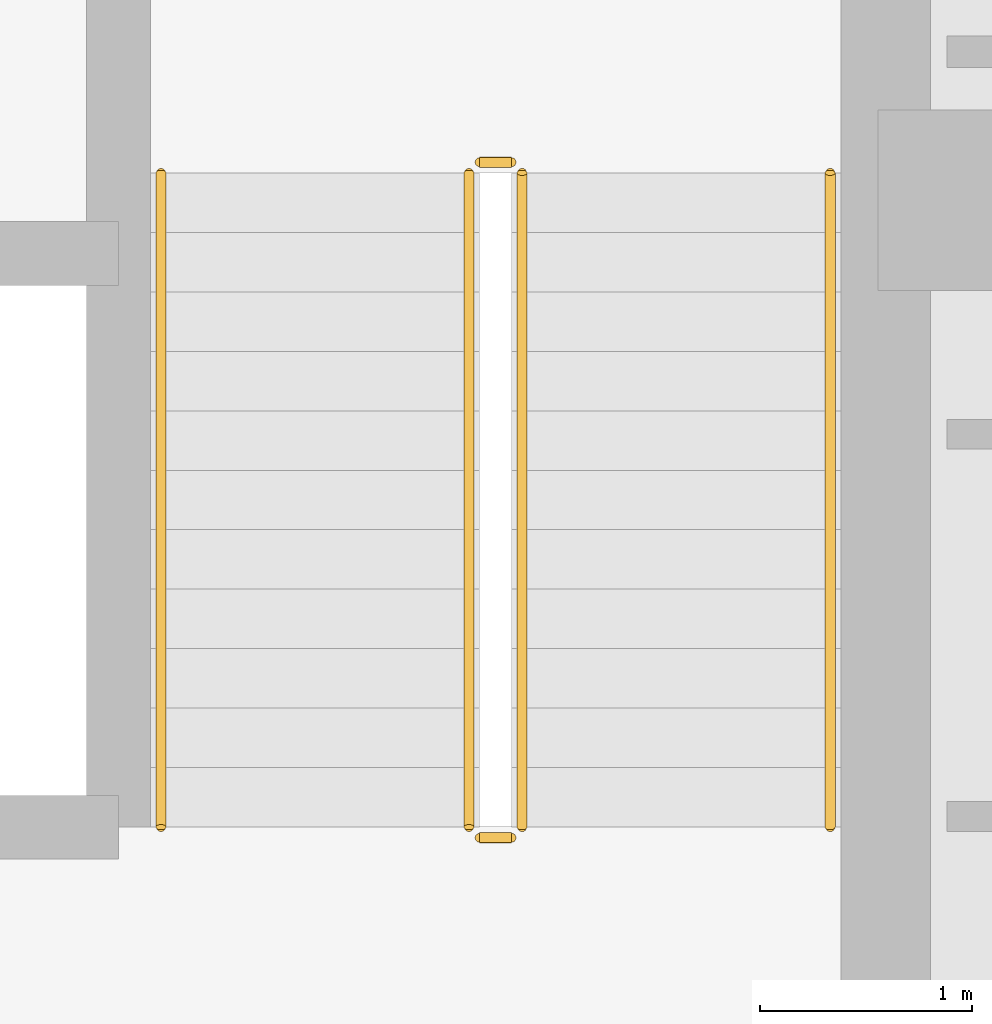
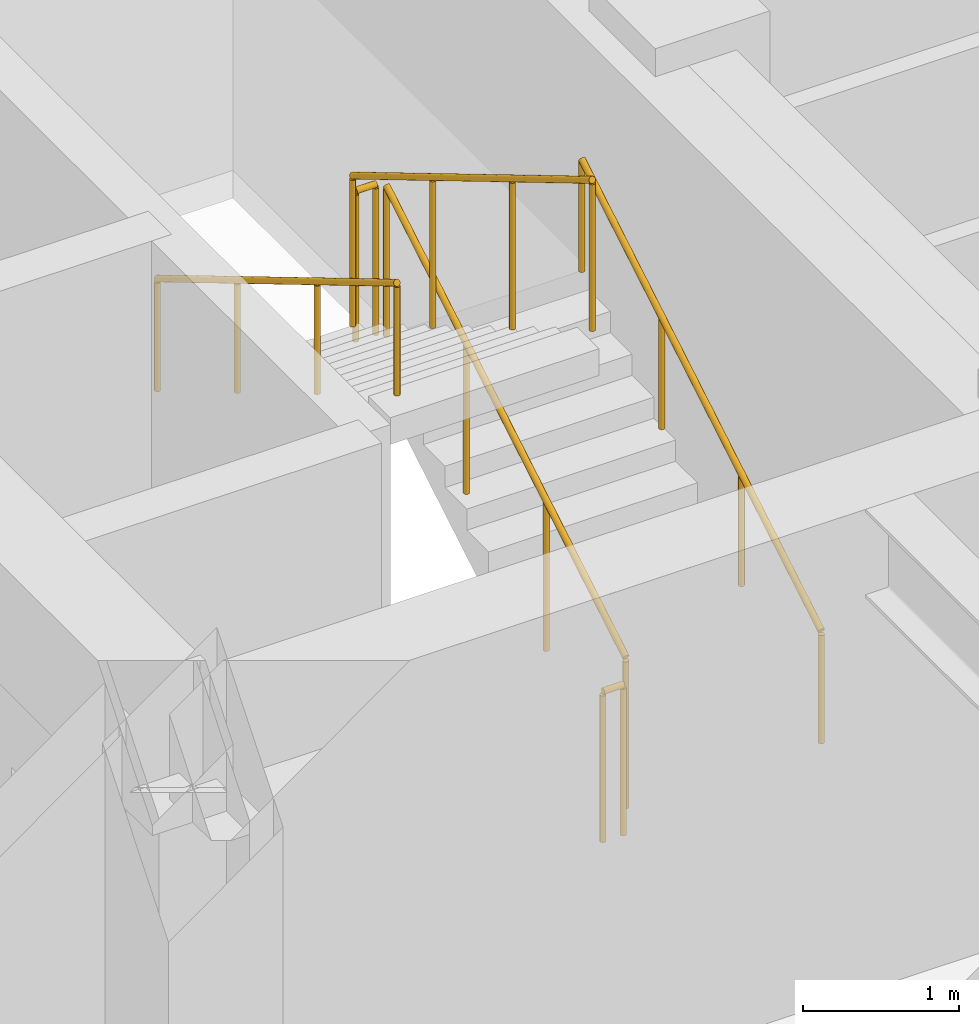
# One storey, part 26 of 29: 6 railings.
"""IFC4 building model written with IfcOpenShell, lengths in metres."""

from ifc_helpers import new_model, si_unit, direction, frame, origin, origin_2d, place, context, subcontext, project, spatial, circle, extrude, source, transform, mapped, material, type_object, element, save


model = new_model("IFC4")

# Units and contexts
model_context = context("Model", 3, precision=1e-05, world=origin(), true_north=direction((0.0, 1.0)))
body_context = subcontext(model_context, "Body", "Model", "MODEL_VIEW")
ifc_project = project(units=[si_unit("LENGTHUNIT", "METRE"), si_unit("AREAUNIT", "SQUARE_METRE"), si_unit("VOLUMEUNIT", "CUBIC_METRE"), si_unit("PLANEANGLEUNIT", "RADIAN"), si_unit("MASSUNIT", "GRAM", prefix="KILO")], contexts=[model_context])

# Site, building, storey
site_placement = place(None, origin())
site = spatial("IfcSite", under=ifc_project, at=site_placement, CompositionType="ELEMENT")
building_placement = place(site_placement, origin())
building = spatial("IfcBuilding", under=site, at=building_placement, Name="Khorayat Bourse Tower", CompositionType="ELEMENT")
storey_placement = place(building_placement, frame((0.0, 0.0, 235.10009765625)))
storey = spatial("IfcBuildingStorey", under=building, at=storey_placement, Name="L55", CompositionType="ELEMENT", Elevation=235.10009765625)

# Railings
ifc_material_1 = material(Name="Powder-coated steel balustrade", Category="steel")
railing_type_1 = type_object("IfcRailingType", Name="RLG-GUARD-1200", PredefinedType="GUARDRAIL", material=ifc_material_1)
shared_shape_1 = source(origin(), body_context, "Body", "SweptSolid", [
    extrude(circle(Radius=0.02392578125, at=origin_2d()), frame((0.0, 0.0, 1.17578125), z_axis=(-1.0, 0.0, 0.0), x_axis=(0.0, -1.0, 0.0)), (0.0, 0.0, 1.0), 0.150146484375),
    extrude(circle(Radius=0.02099609375, at=origin_2d()), origin(), (0.0, 0.0, 1.0), 1.15185546875),
    extrude(circle(Radius=0.02099609375, at=origin_2d()), frame((-0.150146484375, 0.0, 0.0)), (0.0, 0.0, 1.0), 1.15185546875),
])
for number, where, name in (
    (1, (-6.64990234375, -5.820068359375, 2.0), "L55 ST-1 stair guard 2"),
    (2, (-6.64990234375, -9.0, 0.0), "L55 ST-1 stair guard 4"),
):
    element("IfcRailing", number, at=place(storey_placement, frame(where)), inside=storey, type_object=railing_type_1, Name=name, PredefinedType="GUARDRAIL", context=body_context, shape_type="MappedRepresentation", body=[
        mapped(shared_shape_1, transform((0.0, 0.0, 0.0), scale=1.0)),
    ])
shared_shape_2 = source(origin(), body_context, "Body", "SweptSolid", [
    extrude(circle(Radius=0.02392578125, at=origin_2d()), frame((0.0, 0.0, 1.17578125), z_axis=(0.0, 0.859260807169, 0.511537745687), x_axis=(-1.0, 0.0, 0.0)), (0.0, 0.0, 1.0), 3.584228515625),
    extrude(circle(Radius=0.02099609375, at=origin_2d()), origin(), (0.0, 0.0, 1.0), 1.15185546875),
    extrude(circle(Radius=0.02099609375, at=origin_2d()), frame((0.0, 1.026611328125, 0.611083984375)), (0.0, 0.0, 1.0), 1.15185546875),
    extrude(circle(Radius=0.02099609375, at=origin_2d()), frame((0.0, 2.05322265625, 1.222412109375)), (0.0, 0.0, 1.0), 1.15185546875),
    extrude(circle(Radius=0.02099609375, at=origin_2d()), frame((0.0, 3.079833984375, 1.83349609375)), (0.0, 0.0, 1.0), 1.15185546875),
])
railing_1_placement = place(storey_placement, frame((-6.60009765625, -8.949951171875, 0.16650390625)))
element("IfcRailing", 3, at=railing_1_placement, inside=storey, type_object=railing_type_1, Name="L55 ST-1 stair guard 1", PredefinedType="GUARDRAIL", context=body_context, shape_type="MappedRepresentation", body=[
    mapped(shared_shape_2, transform((0.0, 0.0, 0.0), scale=1.0)),
])
shared_shape_3 = source(origin(), body_context, "Body", "SweptSolid", [
    extrude(circle(Radius=0.02392578125, at=origin_2d()), frame((0.0, 0.0, 1.17578125), z_axis=(0.0, -0.859260807169, 0.511537745687), x_axis=(1.0, 0.0, 0.0)), (0.0, 0.0, 1.0), 3.584228515625),
    extrude(circle(Radius=0.02099609375, at=origin_2d()), origin(), (0.0, 0.0, 1.0), 1.15185546875),
    extrude(circle(Radius=0.02099609375, at=origin_2d()), frame((0.0, -1.026611328125, 0.611083984375)), (0.0, 0.0, 1.0), 1.15185546875),
    extrude(circle(Radius=0.02099609375, at=origin_2d()), frame((0.0, -2.05322265625, 1.222412109375)), (0.0, 0.0, 1.0), 1.15185546875),
    extrude(circle(Radius=0.02099609375, at=origin_2d()), frame((0.0, -3.079833984375, 1.83349609375)), (0.0, 0.0, 1.0), 1.15185546875),
])
railing_2_placement = place(storey_placement, frame((-6.85009765625, -5.8701171875, 2.16650390625)))
element("IfcRailing", 4, at=railing_2_placement, inside=storey, type_object=railing_type_1, Name="L55 ST-1 stair guard 3", PredefinedType="GUARDRAIL", context=body_context, shape_type="MappedRepresentation", body=[
    mapped(shared_shape_3, transform((0.0, 0.0, 0.0), scale=1.0)),
])
ifc_material_2 = material(Name="Brushed bronze stainless-steel handrail", Category="steel")
railing_type_2 = type_object("IfcRailingType", Name="RLG-HAND-900", PredefinedType="HANDRAIL", material=ifc_material_2)
shared_shape_4 = source(origin(), body_context, "Body", "SweptSolid", [
    extrude(circle(Radius=0.02392578125, at=origin_2d()), frame((0.0, 0.0, 0.8759765625), z_axis=(0.0, 0.859260807169, 0.511537745687), x_axis=(-1.0, 0.0, 0.0)), (0.0, 0.0, 1.0), 3.584228515625),
    extrude(circle(Radius=0.02099609375, at=origin_2d()), origin(), (0.0, 0.0, 1.0), 0.851806640625),
    extrude(circle(Radius=0.02099609375, at=origin_2d()), frame((0.0, 1.026611328125, 0.611083984375)), (0.0, 0.0, 1.0), 0.851806640625),
    extrude(circle(Radius=0.02099609375, at=origin_2d()), frame((0.0, 2.05322265625, 1.222412109375)), (0.0, 0.0, 1.0), 0.851806640625),
    extrude(circle(Radius=0.02099609375, at=origin_2d()), frame((0.0, 3.079833984375, 1.83349609375)), (0.0, 0.0, 1.0), 0.851806640625),
])
railing_3_placement = place(storey_placement, frame((-5.14990234375, -8.949951171875, 0.16650390625)))
element("IfcRailing", 5, at=railing_3_placement, inside=storey, type_object=railing_type_2, Name="L55 ST-1 stair handrail 1", PredefinedType="HANDRAIL", context=body_context, shape_type="MappedRepresentation", body=[
    mapped(shared_shape_4, transform((0.0, 0.0, 0.0), scale=1.0)),
])
shared_shape_5 = source(origin(), body_context, "Body", "SweptSolid", [
    extrude(circle(Radius=0.02392578125, at=origin_2d()), frame((0.0, 0.0, 0.8759765625), z_axis=(0.0, -0.859260807169, 0.511537745687), x_axis=(1.0, 0.0, 0.0)), (0.0, 0.0, 1.0), 3.584228515625),
    extrude(circle(Radius=0.02099609375, at=origin_2d()), origin(), (0.0, 0.0, 1.0), 0.851806640625),
    extrude(circle(Radius=0.02099609375, at=origin_2d()), frame((0.0, -1.026611328125, 0.611083984375)), (0.0, 0.0, 1.0), 0.851806640625),
    extrude(circle(Radius=0.02099609375, at=origin_2d()), frame((0.0, -2.05322265625, 1.222412109375)), (0.0, 0.0, 1.0), 0.851806640625),
    extrude(circle(Radius=0.02099609375, at=origin_2d()), frame((0.0, -3.079833984375, 1.83349609375)), (0.0, 0.0, 1.0), 0.851806640625),
])
railing_4_placement = place(storey_placement, frame((-8.300048828125, -5.8701171875, 2.16650390625)))
element("IfcRailing", 6, at=railing_4_placement, inside=storey, type_object=railing_type_2, Name="L55 ST-1 stair handrail 2", PredefinedType="HANDRAIL", context=body_context, shape_type="MappedRepresentation", body=[
    mapped(shared_shape_5, transform((0.0, 0.0, 0.0), scale=1.0)),
])

save(model, "model.ifc")
